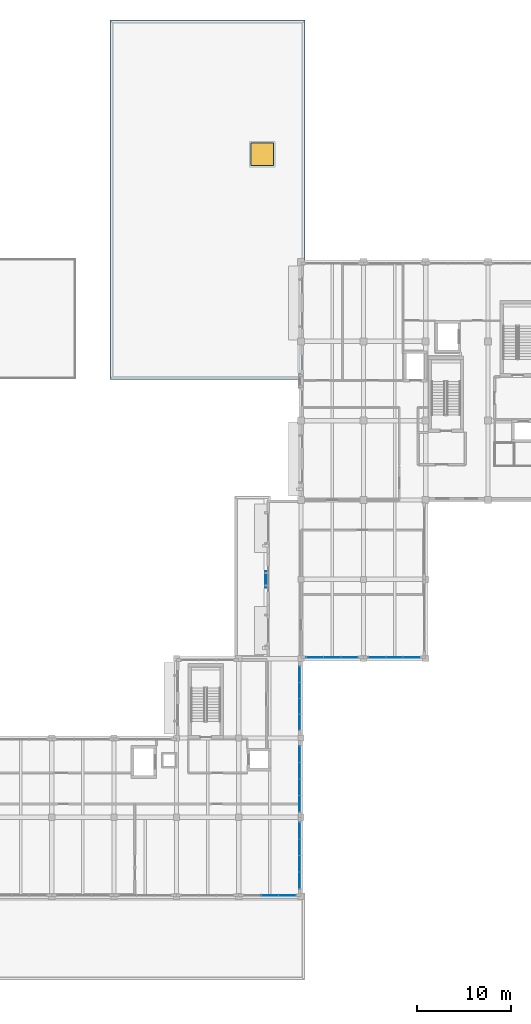
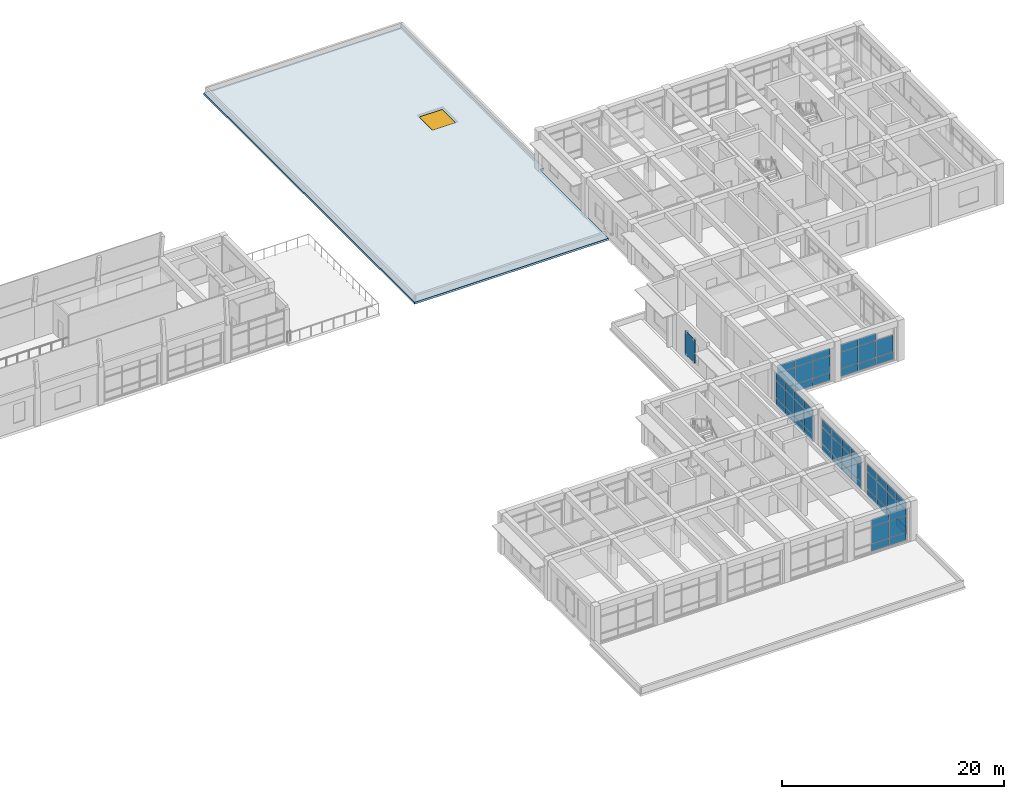
# One storey, part 23 of 50: 60 plates, 1 slab, 1 window, 1 opening, 6 elements without a shape of their own.
"""IFC4 building model written with IfcOpenShell, lengths in metres."""

from ifc_helpers import new_model, si_unit, direction, frame, origin, origin_2d, place, context, subcontext, project, spatial, polyline, rectangle, outline, extrude, material, layer, layer_set, type_object, element, fill, aggregate, save


model = new_model("IFC4")

# Units and contexts
model_context = context("Model", 3, precision=1e-05, world=origin(), true_north=direction((0.0, 1.0)))
body_context = subcontext(model_context, "Body", "Model", "MODEL_VIEW")
ifc_project = project(units=[si_unit("LENGTHUNIT", "METRE"), si_unit("AREAUNIT", "SQUARE_METRE"), si_unit("VOLUMEUNIT", "CUBIC_METRE"), si_unit("PLANEANGLEUNIT", "RADIAN"), si_unit("MASSUNIT", "GRAM", prefix="KILO")], contexts=[model_context])

# Site, building, storey
site_placement = place(None, origin())
site = spatial("IfcSite", under=ifc_project, at=site_placement, CompositionType="ELEMENT")
building_placement = place(site_placement, origin())
building = spatial("IfcBuilding", under=site, at=building_placement, Name="Kolvaren Faculty of Natural Sciences", CompositionType="ELEMENT")
storey_placement = place(building_placement, frame((0.0, 0.0, 15.0)))
storey = spatial("IfcBuildingStorey", under=building, at=storey_placement, Name="L03", CompositionType="ELEMENT", Elevation=15.0)

# Curtain wall, plates
ifc_material_1 = material(Name="Thermally broken anodised aluminium framing", Category="aluminium")
ifc_layer_1 = layer(ifc_material_1, 0.179931640625)
ifc_layer_set_1 = layer_set([ifc_layer_1], Name="Thermally broken anodised aluminium framing")
curtain_wall_type_1 = type_object("IfcCurtainWallType", Name="CommonsCurtainWall_CW02", PredefinedType="NOTDEFINED", material=ifc_layer_set_1)
curtain_wall_1_placement = place(storey_placement, origin())
curtain_wall_1 = element("IfcCurtainWall", 1, at=curtain_wall_1_placement, inside=storey, type_object=curtain_wall_type_1, Name="L03 unitised curtain wall CW-02 (CW-L03-151)", PredefinedType="NOTDEFINED")
ifc_material_2 = material(Name="Double low-E solar control insulated glazing", Category="glass")
ifc_layer_2 = layer(ifc_material_2, 0.035888671875)
ifc_layer_set_2 = layer_set([ifc_layer_2], Name="Double low-E solar control insulated glazing")
plate_type_1 = type_object("IfcPlateType", Name="EnvelopePlate_CWPGL1", PredefinedType="CURTAIN_PANEL", material=ifc_layer_set_2)
plate_1_placement = place(storey_placement, frame((150.533203125, 42.340087890625, 0.919921875), z_axis=(0.0, 0.0, 1.0), x_axis=(-1.0, 0.0, 0.0)))
plate_1 = element("IfcPlate", 2, at=plate_1_placement, type_object=plate_type_1, Name="CW-L03-151 panel 1 V1", PredefinedType="CURTAIN_PANEL", context=body_context, shape_type="SweptSolid", body=[
    extrude(rectangle(XDim=1.783203125, YDim=0.035888671875, at=origin_2d()), origin(), (0.0, 0.0, 1.0), 1.844970703125),
])
plate_2_placement = place(storey_placement, frame((148.699951171875, 42.340087890625, 0.919921875), z_axis=(0.0, 0.0, 1.0), x_axis=(-1.0, 0.0, 0.0)))
plate_2 = element("IfcPlate", 3, at=plate_2_placement, type_object=plate_type_1, Name="CW-L03-151 panel 2 V1", PredefinedType="CURTAIN_PANEL", context=body_context, shape_type="SweptSolid", body=[
    extrude(rectangle(XDim=1.783203125, YDim=0.035888671875, at=origin_2d()), origin(), (0.0, 0.0, 1.0), 1.844970703125),
])
plate_3_placement = place(storey_placement, frame((146.86669921875, 42.340087890625, 0.919921875), z_axis=(0.0, 0.0, 1.0), x_axis=(-1.0, 0.0, 0.0)))
plate_3 = element("IfcPlate", 4, at=plate_3_placement, type_object=plate_type_1, Name="CW-L03-151 panel 3 V1", PredefinedType="CURTAIN_PANEL", context=body_context, shape_type="SweptSolid", body=[
    extrude(rectangle(XDim=1.783203125, YDim=0.035888671875, at=origin_2d()), origin(), (0.0, 0.0, 1.0), 1.844970703125),
])

curtain_wall_2_placement = place(storey_placement, origin())
curtain_wall_2 = element("IfcCurtainWall", 5, at=curtain_wall_2_placement, inside=storey, type_object=curtain_wall_type_1, Name="L03 unitised curtain wall CW-02 (CW-L03-152)", PredefinedType="NOTDEFINED")
plate_4_placement = place(storey_placement, frame((143.933349609375, 42.340087890625, 0.919921875), z_axis=(0.0, 0.0, 1.0), x_axis=(-1.0, 0.0, 0.0)))
plate_4 = element("IfcPlate", 6, at=plate_4_placement, type_object=plate_type_1, Name="CW-L03-152 panel 1 V1", PredefinedType="CURTAIN_PANEL", context=body_context, shape_type="SweptSolid", body=[
    extrude(rectangle(XDim=1.783203125, YDim=0.035888671875, at=origin_2d()), origin(), (0.0, 0.0, 1.0), 1.844970703125),
])
plate_5_placement = place(storey_placement, frame((142.10009765625, 42.340087890625, 0.919921875), z_axis=(0.0, 0.0, 1.0), x_axis=(-1.0, 0.0, 0.0)))
plate_5 = element("IfcPlate", 7, at=plate_5_placement, type_object=plate_type_1, Name="CW-L03-152 panel 2 V1", PredefinedType="CURTAIN_PANEL", context=body_context, shape_type="SweptSolid", body=[
    extrude(rectangle(XDim=1.783203125, YDim=0.035888671875, at=origin_2d()), origin(), (0.0, 0.0, 1.0), 1.844970703125),
])
plate_6_placement = place(storey_placement, frame((140.2666015625, 42.340087890625, 0.919921875), z_axis=(0.0, 0.0, 1.0), x_axis=(-1.0, 0.0, 0.0)))
plate_6 = element("IfcPlate", 8, at=plate_6_placement, type_object=plate_type_1, Name="CW-L03-152 panel 3 V1", PredefinedType="CURTAIN_PANEL", context=body_context, shape_type="SweptSolid", body=[
    extrude(rectangle(XDim=1.783203125, YDim=0.035888671875, at=origin_2d()), origin(), (0.0, 0.0, 1.0), 1.844970703125),
])

ifc_layer_3 = layer(ifc_material_1, 0.179931640625)
ifc_layer_set_3 = layer_set([ifc_layer_3], Name="Thermally broken anodised aluminium framing")
curtain_wall_type_2 = type_object("IfcCurtainWallType", Name="TowerNorthCurtainWall_CW03", PredefinedType="NOTDEFINED", material=ifc_layer_set_3)
curtain_wall_3_placement = place(storey_placement, origin())
curtain_wall_3 = element("IfcCurtainWall", 9, at=curtain_wall_3_placement, inside=storey, type_object=curtain_wall_type_2, Name="L03 unitised curtain wall CW-03 (CW-L03-153)", PredefinedType="NOTDEFINED")
plate_7_placement = place(storey_placement, frame((138.659912109375, 40.527587890625, 0.919921875), z_axis=(0.0, 0.0, 1.0), x_axis=(0.0, -1.0, 0.0)))
plate_7 = element("IfcPlate", 10, at=plate_7_placement, type_object=plate_type_1, Name="CW-L03-153 panel 1 V1", PredefinedType="CURTAIN_PANEL", context=body_context, shape_type="SweptSolid", body=[
    extrude(rectangle(XDim=1.635009765625, YDim=0.035888671875, at=origin_2d()), origin(), (0.0, 0.0, 1.0), 1.89501953125),
])
plate_8_placement = place(storey_placement, frame((138.659912109375, 38.842529296875, 0.919921875), z_axis=(0.0, 0.0, 1.0), x_axis=(0.0, -1.0, 0.0)))
plate_8 = element("IfcPlate", 11, at=plate_8_placement, type_object=plate_type_1, Name="CW-L03-153 panel 2 V1", PredefinedType="CURTAIN_PANEL", context=body_context, shape_type="SweptSolid", body=[
    extrude(rectangle(XDim=1.635009765625, YDim=0.035888671875, at=origin_2d()), origin(), (0.0, 0.0, 1.0), 1.89501953125),
])
plate_9_placement = place(storey_placement, frame((138.659912109375, 37.157470703125, 0.919921875), z_axis=(0.0, 0.0, 1.0), x_axis=(0.0, -1.0, 0.0)))
plate_9 = element("IfcPlate", 12, at=plate_9_placement, type_object=plate_type_1, Name="CW-L03-153 panel 3 V1", PredefinedType="CURTAIN_PANEL", context=body_context, shape_type="SweptSolid", body=[
    extrude(rectangle(XDim=1.635009765625, YDim=0.035888671875, at=origin_2d()), origin(), (0.0, 0.0, 1.0), 1.89501953125),
])
plate_10_placement = place(storey_placement, frame((138.659912109375, 35.472412109375, 0.919921875), z_axis=(0.0, 0.0, 1.0), x_axis=(0.0, -1.0, 0.0)))
plate_10 = element("IfcPlate", 13, at=plate_10_placement, type_object=plate_type_1, Name="CW-L03-153 panel 4 V1", PredefinedType="CURTAIN_PANEL", context=body_context, shape_type="SweptSolid", body=[
    extrude(rectangle(XDim=1.635009765625, YDim=0.035888671875, at=origin_2d()), origin(), (0.0, 0.0, 1.0), 1.89501953125),
])

curtain_wall_4_placement = place(storey_placement, origin())
curtain_wall_4 = element("IfcCurtainWall", 14, at=curtain_wall_4_placement, inside=storey, type_object=curtain_wall_type_2, Name="L03 unitised curtain wall CW-03 (CW-L03-154)", PredefinedType="NOTDEFINED")
plate_11_placement = place(storey_placement, frame((138.659912109375, 32.092529296875, 0.919921875), z_axis=(0.0, 0.0, 1.0), x_axis=(0.0, -1.0, 0.0)))
plate_11 = element("IfcPlate", 15, at=plate_11_placement, type_object=plate_type_1, Name="CW-L03-154 panel 1 V1", PredefinedType="CURTAIN_PANEL", context=body_context, shape_type="SweptSolid", body=[
    extrude(rectangle(XDim=1.705078125, YDim=0.035888671875, at=origin_2d()), origin(), (0.0, 0.0, 1.0), 1.844970703125),
])
plate_12_placement = place(storey_placement, frame((138.659912109375, 30.33740234375, 0.919921875), z_axis=(0.0, 0.0, 1.0), x_axis=(0.0, -1.0, 0.0)))
plate_12 = element("IfcPlate", 16, at=plate_12_placement, type_object=plate_type_1, Name="CW-L03-154 panel 2 V1", PredefinedType="CURTAIN_PANEL", context=body_context, shape_type="SweptSolid", body=[
    extrude(rectangle(XDim=1.705078125, YDim=0.035888671875, at=origin_2d()), origin(), (0.0, 0.0, 1.0), 1.844970703125),
])
plate_13_placement = place(storey_placement, frame((138.659912109375, 28.58251953125, 0.919921875), z_axis=(0.0, 0.0, 1.0), x_axis=(0.0, -1.0, 0.0)))
plate_13 = element("IfcPlate", 17, at=plate_13_placement, type_object=plate_type_1, Name="CW-L03-154 panel 3 V1", PredefinedType="CURTAIN_PANEL", context=body_context, shape_type="SweptSolid", body=[
    extrude(rectangle(XDim=1.705078125, YDim=0.035888671875, at=origin_2d()), origin(), (0.0, 0.0, 1.0), 1.844970703125),
])
plate_14_placement = place(storey_placement, frame((138.659912109375, 26.827392578125, 0.919921875), z_axis=(0.0, 0.0, 1.0), x_axis=(0.0, -1.0, 0.0)))
plate_14 = element("IfcPlate", 18, at=plate_14_placement, type_object=plate_type_1, Name="CW-L03-154 panel 4 V1", PredefinedType="CURTAIN_PANEL", context=body_context, shape_type="SweptSolid", body=[
    extrude(rectangle(XDim=1.705078125, YDim=0.035888671875, at=origin_2d()), origin(), (0.0, 0.0, 1.0), 1.844970703125),
])

curtain_wall_5_placement = place(storey_placement, origin())
curtain_wall_5 = element("IfcCurtainWall", 19, at=curtain_wall_5_placement, inside=storey, type_object=curtain_wall_type_2, Name="L03 unitised curtain wall CW-03 (CW-L03-155)", PredefinedType="NOTDEFINED")
plate_15_placement = place(storey_placement, frame((138.659912109375, 23.972412109375, 0.919921875), z_axis=(0.0, 0.0, 1.0), x_axis=(0.0, -1.0, 0.0)))
plate_15 = element("IfcPlate", 20, at=plate_15_placement, type_object=plate_type_1, Name="CW-L03-155 panel 1 V1", PredefinedType="CURTAIN_PANEL", context=body_context, shape_type="SweptSolid", body=[
    extrude(rectangle(XDim=1.705078125, YDim=0.035888671875, at=origin_2d()), origin(), (0.0, 0.0, 1.0), 1.844970703125),
])
plate_16_placement = place(storey_placement, frame((138.659912109375, 22.217529296875, 0.919921875), z_axis=(0.0, 0.0, 1.0), x_axis=(0.0, -1.0, 0.0)))
plate_16 = element("IfcPlate", 21, at=plate_16_placement, type_object=plate_type_1, Name="CW-L03-155 panel 2 V1", PredefinedType="CURTAIN_PANEL", context=body_context, shape_type="SweptSolid", body=[
    extrude(rectangle(XDim=1.705078125, YDim=0.035888671875, at=origin_2d()), origin(), (0.0, 0.0, 1.0), 1.844970703125),
])
plate_17_placement = place(storey_placement, frame((138.659912109375, 20.46240234375, 0.919921875), z_axis=(0.0, 0.0, 1.0), x_axis=(0.0, -1.0, 0.0)))
plate_17 = element("IfcPlate", 22, at=plate_17_placement, type_object=plate_type_1, Name="CW-L03-155 panel 3 V1", PredefinedType="CURTAIN_PANEL", context=body_context, shape_type="SweptSolid", body=[
    extrude(rectangle(XDim=1.705078125, YDim=0.035888671875, at=origin_2d()), origin(), (0.0, 0.0, 1.0), 1.844970703125),
])
plate_18_placement = place(storey_placement, frame((138.659912109375, 18.70751953125, 0.919921875), z_axis=(0.0, 0.0, 1.0), x_axis=(0.0, -1.0, 0.0)))
plate_18 = element("IfcPlate", 23, at=plate_18_placement, type_object=plate_type_1, Name="CW-L03-155 panel 4 V1", PredefinedType="CURTAIN_PANEL", context=body_context, shape_type="SweptSolid", body=[
    extrude(rectangle(XDim=1.705078125, YDim=0.035888671875, at=origin_2d()), origin(), (0.0, 0.0, 1.0), 1.844970703125),
])

curtain_wall_6_placement = place(storey_placement, origin())
curtain_wall_6 = element("IfcCurtainWall", 24, at=curtain_wall_6_placement, inside=storey, type_object=curtain_wall_type_1, Name="L03 unitised curtain wall CW-02 (CW-L03-156)", PredefinedType="NOTDEFINED")
plate_19_placement = place(storey_placement, frame((137.333251953125, 17.139892578125, 0.919921875), z_axis=(0.0, 0.0, 1.0), x_axis=(-1.0, 0.0, 0.0)))
plate_19 = element("IfcPlate", 25, at=plate_19_placement, type_object=plate_type_1, Name="CW-L03-156 panel 1 V1", PredefinedType="CURTAIN_PANEL", context=body_context, shape_type="SweptSolid", body=[
    extrude(rectangle(XDim=1.783203125, YDim=0.035888671875, at=origin_2d()), origin(), (0.0, 0.0, 1.0), 1.844970703125),
])
plate_20_placement = place(storey_placement, frame((135.5, 17.139892578125, 0.919921875), z_axis=(0.0, 0.0, 1.0), x_axis=(-1.0, 0.0, 0.0)))
plate_20 = element("IfcPlate", 26, at=plate_20_placement, type_object=plate_type_1, Name="CW-L03-156 panel 2 V1", PredefinedType="CURTAIN_PANEL", context=body_context, shape_type="SweptSolid", body=[
    extrude(rectangle(XDim=1.783203125, YDim=0.035888671875, at=origin_2d()), origin(), (0.0, 0.0, 1.0), 1.844970703125),
])

# Plate
ifc_layer_4 = layer(ifc_material_2, 0.035888671875)
ifc_layer_set_4 = layer_set([ifc_layer_4], Name="Double low-E solar control insulated glazing")
plate_type_2 = type_object("IfcPlateType", Name="EnvelopePlate_CWPGL2", PredefinedType="CURTAIN_PANEL", material=ifc_layer_set_4)
plate_21_placement = place(storey_placement, frame((148.699951171875, 42.340087890625, 2.804931640625), z_axis=(0.0, 0.0, 1.0), x_axis=(-1.0, 0.0, 0.0)))
plate_21 = element("IfcPlate", 27, at=plate_21_placement, type_object=plate_type_2, Name="CW-L03-151 panel 2 V2", PredefinedType="CURTAIN_PANEL", context=body_context, shape_type="SweptSolid", body=[
    extrude(rectangle(XDim=1.783203125, YDim=0.035888671875, at=origin_2d()), origin(), (0.0, 0.0, 1.0), 0.830078125),
])

plate_22_placement = place(storey_placement, frame((146.86669921875, 42.340087890625, 2.804931640625), z_axis=(0.0, 0.0, 1.0), x_axis=(-1.0, 0.0, 0.0)))
plate_22 = element("IfcPlate", 28, at=plate_22_placement, type_object=plate_type_2, Name="CW-L03-151 panel 3 V2", PredefinedType="CURTAIN_PANEL", context=body_context, shape_type="SweptSolid", body=[
    extrude(rectangle(XDim=1.783203125, YDim=0.035888671875, at=origin_2d()), origin(), (0.0, 0.0, 1.0), 0.830078125),
])

plate_23_placement = place(storey_placement, frame((143.933349609375, 42.340087890625, 2.804931640625), z_axis=(0.0, 0.0, 1.0), x_axis=(-1.0, 0.0, 0.0)))
plate_23 = element("IfcPlate", 29, at=plate_23_placement, type_object=plate_type_2, Name="CW-L03-152 panel 1 V2", PredefinedType="CURTAIN_PANEL", context=body_context, shape_type="SweptSolid", body=[
    extrude(rectangle(XDim=1.783203125, YDim=0.035888671875, at=origin_2d()), origin(), (0.0, 0.0, 1.0), 0.830078125),
])

plate_24_placement = place(storey_placement, frame((142.10009765625, 42.340087890625, 2.804931640625), z_axis=(0.0, 0.0, 1.0), x_axis=(-1.0, 0.0, 0.0)))
plate_24 = element("IfcPlate", 30, at=plate_24_placement, type_object=plate_type_2, Name="CW-L03-152 panel 2 V2", PredefinedType="CURTAIN_PANEL", context=body_context, shape_type="SweptSolid", body=[
    extrude(rectangle(XDim=1.783203125, YDim=0.035888671875, at=origin_2d()), origin(), (0.0, 0.0, 1.0), 0.830078125),
])

plate_25_placement = place(storey_placement, frame((140.2666015625, 42.340087890625, 2.804931640625), z_axis=(0.0, 0.0, 1.0), x_axis=(-1.0, 0.0, 0.0)))
plate_25 = element("IfcPlate", 31, at=plate_25_placement, type_object=plate_type_2, Name="CW-L03-152 panel 3 V2", PredefinedType="CURTAIN_PANEL", context=body_context, shape_type="SweptSolid", body=[
    extrude(rectangle(XDim=1.783203125, YDim=0.035888671875, at=origin_2d()), origin(), (0.0, 0.0, 1.0), 0.830078125),
])

plate_26_placement = place(storey_placement, frame((138.659912109375, 40.527587890625, 2.85498046875), z_axis=(0.0, 0.0, 1.0), x_axis=(0.0, -1.0, 0.0)))
plate_26 = element("IfcPlate", 32, at=plate_26_placement, type_object=plate_type_2, Name="CW-L03-153 panel 1 V2", PredefinedType="CURTAIN_PANEL", context=body_context, shape_type="SweptSolid", body=[
    extrude(rectangle(XDim=1.635009765625, YDim=0.035888671875, at=origin_2d()), origin(), (0.0, 0.0, 1.0), 0.830078125),
])

plate_27_placement = place(storey_placement, frame((138.659912109375, 38.842529296875, 2.85498046875), z_axis=(0.0, 0.0, 1.0), x_axis=(0.0, -1.0, 0.0)))
plate_27 = element("IfcPlate", 33, at=plate_27_placement, type_object=plate_type_2, Name="CW-L03-153 panel 2 V2", PredefinedType="CURTAIN_PANEL", context=body_context, shape_type="SweptSolid", body=[
    extrude(rectangle(XDim=1.635009765625, YDim=0.035888671875, at=origin_2d()), origin(), (0.0, 0.0, 1.0), 0.830078125),
])

plate_28_placement = place(storey_placement, frame((138.659912109375, 37.157470703125, 2.85498046875), z_axis=(0.0, 0.0, 1.0), x_axis=(0.0, -1.0, 0.0)))
plate_28 = element("IfcPlate", 34, at=plate_28_placement, type_object=plate_type_2, Name="CW-L03-153 panel 3 V2", PredefinedType="CURTAIN_PANEL", context=body_context, shape_type="SweptSolid", body=[
    extrude(rectangle(XDim=1.635009765625, YDim=0.035888671875, at=origin_2d()), origin(), (0.0, 0.0, 1.0), 0.830078125),
])

plate_29_placement = place(storey_placement, frame((138.659912109375, 35.472412109375, 2.85498046875), z_axis=(0.0, 0.0, 1.0), x_axis=(0.0, -1.0, 0.0)))
plate_29 = element("IfcPlate", 35, at=plate_29_placement, type_object=plate_type_2, Name="CW-L03-153 panel 4 V2", PredefinedType="CURTAIN_PANEL", context=body_context, shape_type="SweptSolid", body=[
    extrude(rectangle(XDim=1.635009765625, YDim=0.035888671875, at=origin_2d()), origin(), (0.0, 0.0, 1.0), 0.830078125),
])

plate_30_placement = place(storey_placement, frame((138.659912109375, 32.092529296875, 2.804931640625), z_axis=(0.0, 0.0, 1.0), x_axis=(0.0, -1.0, 0.0)))
plate_30 = element("IfcPlate", 36, at=plate_30_placement, type_object=plate_type_2, Name="CW-L03-154 panel 1 V2", PredefinedType="CURTAIN_PANEL", context=body_context, shape_type="SweptSolid", body=[
    extrude(rectangle(XDim=1.705078125, YDim=0.035888671875, at=origin_2d()), origin(), (0.0, 0.0, 1.0), 0.830078125),
])

plate_31_placement = place(storey_placement, frame((138.659912109375, 30.33740234375, 2.804931640625), z_axis=(0.0, 0.0, 1.0), x_axis=(0.0, -1.0, 0.0)))
plate_31 = element("IfcPlate", 37, at=plate_31_placement, type_object=plate_type_2, Name="CW-L03-154 panel 2 V2", PredefinedType="CURTAIN_PANEL", context=body_context, shape_type="SweptSolid", body=[
    extrude(rectangle(XDim=1.705078125, YDim=0.035888671875, at=origin_2d()), origin(), (0.0, 0.0, 1.0), 0.830078125),
])

plate_32_placement = place(storey_placement, frame((138.659912109375, 28.58251953125, 2.804931640625), z_axis=(0.0, 0.0, 1.0), x_axis=(0.0, -1.0, 0.0)))
plate_32 = element("IfcPlate", 38, at=plate_32_placement, type_object=plate_type_2, Name="CW-L03-154 panel 3 V2", PredefinedType="CURTAIN_PANEL", context=body_context, shape_type="SweptSolid", body=[
    extrude(rectangle(XDim=1.705078125, YDim=0.035888671875, at=origin_2d()), origin(), (0.0, 0.0, 1.0), 0.830078125),
])

plate_33_placement = place(storey_placement, frame((138.659912109375, 26.827392578125, 2.804931640625), z_axis=(0.0, 0.0, 1.0), x_axis=(0.0, -1.0, 0.0)))
plate_33 = element("IfcPlate", 39, at=plate_33_placement, type_object=plate_type_2, Name="CW-L03-154 panel 4 V2", PredefinedType="CURTAIN_PANEL", context=body_context, shape_type="SweptSolid", body=[
    extrude(rectangle(XDim=1.705078125, YDim=0.035888671875, at=origin_2d()), origin(), (0.0, 0.0, 1.0), 0.830078125),
])

plate_34_placement = place(storey_placement, frame((138.659912109375, 23.972412109375, 2.804931640625), z_axis=(0.0, 0.0, 1.0), x_axis=(0.0, -1.0, 0.0)))
plate_34 = element("IfcPlate", 40, at=plate_34_placement, type_object=plate_type_2, Name="CW-L03-155 panel 1 V2", PredefinedType="CURTAIN_PANEL", context=body_context, shape_type="SweptSolid", body=[
    extrude(rectangle(XDim=1.705078125, YDim=0.035888671875, at=origin_2d()), origin(), (0.0, 0.0, 1.0), 0.830078125),
])

plate_35_placement = place(storey_placement, frame((138.659912109375, 22.217529296875, 2.804931640625), z_axis=(0.0, 0.0, 1.0), x_axis=(0.0, -1.0, 0.0)))
plate_35 = element("IfcPlate", 41, at=plate_35_placement, type_object=plate_type_2, Name="CW-L03-155 panel 2 V2", PredefinedType="CURTAIN_PANEL", context=body_context, shape_type="SweptSolid", body=[
    extrude(rectangle(XDim=1.705078125, YDim=0.035888671875, at=origin_2d()), origin(), (0.0, 0.0, 1.0), 0.830078125),
])

plate_36_placement = place(storey_placement, frame((138.659912109375, 20.46240234375, 2.804931640625), z_axis=(0.0, 0.0, 1.0), x_axis=(0.0, -1.0, 0.0)))
plate_36 = element("IfcPlate", 42, at=plate_36_placement, type_object=plate_type_2, Name="CW-L03-155 panel 3 V2", PredefinedType="CURTAIN_PANEL", context=body_context, shape_type="SweptSolid", body=[
    extrude(rectangle(XDim=1.705078125, YDim=0.035888671875, at=origin_2d()), origin(), (0.0, 0.0, 1.0), 0.830078125),
])

plate_37_placement = place(storey_placement, frame((138.659912109375, 18.70751953125, 2.804931640625), z_axis=(0.0, 0.0, 1.0), x_axis=(0.0, -1.0, 0.0)))
plate_37 = element("IfcPlate", 43, at=plate_37_placement, type_object=plate_type_2, Name="CW-L03-155 panel 4 V2", PredefinedType="CURTAIN_PANEL", context=body_context, shape_type="SweptSolid", body=[
    extrude(rectangle(XDim=1.705078125, YDim=0.035888671875, at=origin_2d()), origin(), (0.0, 0.0, 1.0), 0.830078125),
])

plate_38_placement = place(storey_placement, frame((137.333251953125, 17.139892578125, 2.804931640625), z_axis=(0.0, 0.0, 1.0), x_axis=(-1.0, 0.0, 0.0)))
plate_38 = element("IfcPlate", 44, at=plate_38_placement, type_object=plate_type_2, Name="CW-L03-156 panel 1 V2", PredefinedType="CURTAIN_PANEL", context=body_context, shape_type="SweptSolid", body=[
    extrude(rectangle(XDim=1.783203125, YDim=0.035888671875, at=origin_2d()), origin(), (0.0, 0.0, 1.0), 0.830078125),
])

plate_39_placement = place(storey_placement, frame((135.5, 17.139892578125, 2.804931640625), z_axis=(0.0, 0.0, 1.0), x_axis=(-1.0, 0.0, 0.0)))
plate_39 = element("IfcPlate", 45, at=plate_39_placement, type_object=plate_type_2, Name="CW-L03-156 panel 2 V2", PredefinedType="CURTAIN_PANEL", context=body_context, shape_type="SweptSolid", body=[
    extrude(rectangle(XDim=1.783203125, YDim=0.035888671875, at=origin_2d()), origin(), (0.0, 0.0, 1.0), 0.830078125),
])

ifc_material_3 = material(Name="Insulated anodised aluminium spandrel panel", Category="aluminium")
ifc_layer_5 = layer(ifc_material_3, 0.050048828125)
ifc_layer_set_5 = layer_set([ifc_layer_5], Name="Insulated anodised aluminium spandrel panel")
plate_type_3 = type_object("IfcPlateType", Name="EnvelopePlate_CWPSP1", PredefinedType="SHEET", material=ifc_layer_set_5)
plate_40_placement = place(storey_placement, frame((150.533203125, 42.340087890625, 0.10009765625), z_axis=(0.0, 0.0, 1.0), x_axis=(-1.0, 0.0, 0.0)))
plate_40 = element("IfcPlate", 46, at=plate_40_placement, type_object=plate_type_3, Name="CW-L03-151 panel 1 SP", PredefinedType="SHEET", context=body_context, shape_type="SweptSolid", body=[
    extrude(rectangle(XDim=1.783203125, YDim=0.050048828125, at=origin_2d()), origin(), (0.0, 0.0, 1.0), 0.780029296875),
])

plate_41_placement = place(storey_placement, frame((148.699951171875, 42.340087890625, 0.10009765625), z_axis=(0.0, 0.0, 1.0), x_axis=(-1.0, 0.0, 0.0)))
plate_41 = element("IfcPlate", 47, at=plate_41_placement, type_object=plate_type_3, Name="CW-L03-151 panel 2 SP", PredefinedType="SHEET", context=body_context, shape_type="SweptSolid", body=[
    extrude(rectangle(XDim=1.783203125, YDim=0.050048828125, at=origin_2d()), origin(), (0.0, 0.0, 1.0), 0.780029296875),
])

plate_42_placement = place(storey_placement, frame((146.86669921875, 42.340087890625, 0.10009765625), z_axis=(0.0, 0.0, 1.0), x_axis=(-1.0, 0.0, 0.0)))
plate_42 = element("IfcPlate", 48, at=plate_42_placement, type_object=plate_type_3, Name="CW-L03-151 panel 3 SP", PredefinedType="SHEET", context=body_context, shape_type="SweptSolid", body=[
    extrude(rectangle(XDim=1.783203125, YDim=0.050048828125, at=origin_2d()), origin(), (0.0, 0.0, 1.0), 0.780029296875),
])

aggregate(curtain_wall_1, [plate_40, plate_1, plate_41, plate_2, plate_21, plate_42, plate_3, plate_22])

plate_43_placement = place(storey_placement, frame((143.933349609375, 42.340087890625, 0.10009765625), z_axis=(0.0, 0.0, 1.0), x_axis=(-1.0, 0.0, 0.0)))
plate_43 = element("IfcPlate", 49, at=plate_43_placement, type_object=plate_type_3, Name="CW-L03-152 panel 1 SP", PredefinedType="SHEET", context=body_context, shape_type="SweptSolid", body=[
    extrude(rectangle(XDim=1.783203125, YDim=0.050048828125, at=origin_2d()), origin(), (0.0, 0.0, 1.0), 0.780029296875),
])

plate_44_placement = place(storey_placement, frame((142.10009765625, 42.340087890625, 0.10009765625), z_axis=(0.0, 0.0, 1.0), x_axis=(-1.0, 0.0, 0.0)))
plate_44 = element("IfcPlate", 50, at=plate_44_placement, type_object=plate_type_3, Name="CW-L03-152 panel 2 SP", PredefinedType="SHEET", context=body_context, shape_type="SweptSolid", body=[
    extrude(rectangle(XDim=1.783203125, YDim=0.050048828125, at=origin_2d()), origin(), (0.0, 0.0, 1.0), 0.780029296875),
])

plate_45_placement = place(storey_placement, frame((140.2666015625, 42.340087890625, 0.10009765625), z_axis=(0.0, 0.0, 1.0), x_axis=(-1.0, 0.0, 0.0)))
plate_45 = element("IfcPlate", 51, at=plate_45_placement, type_object=plate_type_3, Name="CW-L03-152 panel 3 SP", PredefinedType="SHEET", context=body_context, shape_type="SweptSolid", body=[
    extrude(rectangle(XDim=1.783203125, YDim=0.050048828125, at=origin_2d()), origin(), (0.0, 0.0, 1.0), 0.780029296875),
])

aggregate(curtain_wall_2, [plate_43, plate_4, plate_23, plate_44, plate_5, plate_24, plate_45, plate_6, plate_25])

plate_46_placement = place(storey_placement, frame((138.659912109375, 40.527587890625, 0.10009765625), z_axis=(0.0, 0.0, 1.0), x_axis=(0.0, -1.0, 0.0)))
plate_46 = element("IfcPlate", 52, at=plate_46_placement, type_object=plate_type_3, Name="CW-L03-153 panel 1 SP", PredefinedType="SHEET", context=body_context, shape_type="SweptSolid", body=[
    extrude(rectangle(XDim=1.635009765625, YDim=0.050048828125, at=origin_2d()), origin(), (0.0, 0.0, 1.0), 0.780029296875),
])

plate_47_placement = place(storey_placement, frame((138.659912109375, 38.842529296875, 0.10009765625), z_axis=(0.0, 0.0, 1.0), x_axis=(0.0, -1.0, 0.0)))
plate_47 = element("IfcPlate", 53, at=plate_47_placement, type_object=plate_type_3, Name="CW-L03-153 panel 2 SP", PredefinedType="SHEET", context=body_context, shape_type="SweptSolid", body=[
    extrude(rectangle(XDim=1.635009765625, YDim=0.050048828125, at=origin_2d()), origin(), (0.0, 0.0, 1.0), 0.780029296875),
])

plate_48_placement = place(storey_placement, frame((138.659912109375, 37.157470703125, 0.10009765625), z_axis=(0.0, 0.0, 1.0), x_axis=(0.0, -1.0, 0.0)))
plate_48 = element("IfcPlate", 54, at=plate_48_placement, type_object=plate_type_3, Name="CW-L03-153 panel 3 SP", PredefinedType="SHEET", context=body_context, shape_type="SweptSolid", body=[
    extrude(rectangle(XDim=1.635009765625, YDim=0.050048828125, at=origin_2d()), origin(), (0.0, 0.0, 1.0), 0.780029296875),
])

plate_49_placement = place(storey_placement, frame((138.659912109375, 35.472412109375, 0.10009765625), z_axis=(0.0, 0.0, 1.0), x_axis=(0.0, -1.0, 0.0)))
plate_49 = element("IfcPlate", 55, at=plate_49_placement, type_object=plate_type_3, Name="CW-L03-153 panel 4 SP", PredefinedType="SHEET", context=body_context, shape_type="SweptSolid", body=[
    extrude(rectangle(XDim=1.635009765625, YDim=0.050048828125, at=origin_2d()), origin(), (0.0, 0.0, 1.0), 0.780029296875),
])

aggregate(curtain_wall_3, [plate_46, plate_7, plate_26, plate_47, plate_8, plate_27, plate_48, plate_9, plate_28, plate_49, plate_10, plate_29])

plate_50_placement = place(storey_placement, frame((138.659912109375, 32.092529296875, 0.10009765625), z_axis=(0.0, 0.0, 1.0), x_axis=(0.0, -1.0, 0.0)))
plate_50 = element("IfcPlate", 56, at=plate_50_placement, type_object=plate_type_3, Name="CW-L03-154 panel 1 SP", PredefinedType="SHEET", context=body_context, shape_type="SweptSolid", body=[
    extrude(rectangle(XDim=1.705078125, YDim=0.050048828125, at=origin_2d()), origin(), (0.0, 0.0, 1.0), 0.780029296875),
])

plate_51_placement = place(storey_placement, frame((138.659912109375, 30.33740234375, 0.10009765625), z_axis=(0.0, 0.0, 1.0), x_axis=(0.0, -1.0, 0.0)))
plate_51 = element("IfcPlate", 57, at=plate_51_placement, type_object=plate_type_3, Name="CW-L03-154 panel 2 SP", PredefinedType="SHEET", context=body_context, shape_type="SweptSolid", body=[
    extrude(rectangle(XDim=1.705078125, YDim=0.050048828125, at=origin_2d()), origin(), (0.0, 0.0, 1.0), 0.780029296875),
])

plate_52_placement = place(storey_placement, frame((138.659912109375, 28.58251953125, 0.10009765625), z_axis=(0.0, 0.0, 1.0), x_axis=(0.0, -1.0, 0.0)))
plate_52 = element("IfcPlate", 58, at=plate_52_placement, type_object=plate_type_3, Name="CW-L03-154 panel 3 SP", PredefinedType="SHEET", context=body_context, shape_type="SweptSolid", body=[
    extrude(rectangle(XDim=1.705078125, YDim=0.050048828125, at=origin_2d()), origin(), (0.0, 0.0, 1.0), 0.780029296875),
])

plate_53_placement = place(storey_placement, frame((138.659912109375, 26.827392578125, 0.10009765625), z_axis=(0.0, 0.0, 1.0), x_axis=(0.0, -1.0, 0.0)))
plate_53 = element("IfcPlate", 59, at=plate_53_placement, type_object=plate_type_3, Name="CW-L03-154 panel 4 SP", PredefinedType="SHEET", context=body_context, shape_type="SweptSolid", body=[
    extrude(rectangle(XDim=1.705078125, YDim=0.050048828125, at=origin_2d()), origin(), (0.0, 0.0, 1.0), 0.780029296875),
])

aggregate(curtain_wall_4, [plate_50, plate_11, plate_30, plate_51, plate_12, plate_31, plate_52, plate_13, plate_32, plate_53, plate_14, plate_33])

plate_54_placement = place(storey_placement, frame((138.659912109375, 23.972412109375, 0.10009765625), z_axis=(0.0, 0.0, 1.0), x_axis=(0.0, -1.0, 0.0)))
plate_54 = element("IfcPlate", 60, at=plate_54_placement, type_object=plate_type_3, Name="CW-L03-155 panel 1 SP", PredefinedType="SHEET", context=body_context, shape_type="SweptSolid", body=[
    extrude(rectangle(XDim=1.705078125, YDim=0.050048828125, at=origin_2d()), origin(), (0.0, 0.0, 1.0), 0.780029296875),
])

plate_55_placement = place(storey_placement, frame((138.659912109375, 22.217529296875, 0.10009765625), z_axis=(0.0, 0.0, 1.0), x_axis=(0.0, -1.0, 0.0)))
plate_55 = element("IfcPlate", 61, at=plate_55_placement, type_object=plate_type_3, Name="CW-L03-155 panel 2 SP", PredefinedType="SHEET", context=body_context, shape_type="SweptSolid", body=[
    extrude(rectangle(XDim=1.705078125, YDim=0.050048828125, at=origin_2d()), origin(), (0.0, 0.0, 1.0), 0.780029296875),
])

plate_56_placement = place(storey_placement, frame((138.659912109375, 20.46240234375, 0.10009765625), z_axis=(0.0, 0.0, 1.0), x_axis=(0.0, -1.0, 0.0)))
plate_56 = element("IfcPlate", 62, at=plate_56_placement, type_object=plate_type_3, Name="CW-L03-155 panel 3 SP", PredefinedType="SHEET", context=body_context, shape_type="SweptSolid", body=[
    extrude(rectangle(XDim=1.705078125, YDim=0.050048828125, at=origin_2d()), origin(), (0.0, 0.0, 1.0), 0.780029296875),
])

plate_57_placement = place(storey_placement, frame((138.659912109375, 18.70751953125, 0.10009765625), z_axis=(0.0, 0.0, 1.0), x_axis=(0.0, -1.0, 0.0)))
plate_57 = element("IfcPlate", 63, at=plate_57_placement, type_object=plate_type_3, Name="CW-L03-155 panel 4 SP", PredefinedType="SHEET", context=body_context, shape_type="SweptSolid", body=[
    extrude(rectangle(XDim=1.705078125, YDim=0.050048828125, at=origin_2d()), origin(), (0.0, 0.0, 1.0), 0.780029296875),
])

aggregate(curtain_wall_5, [plate_54, plate_15, plate_34, plate_55, plate_16, plate_35, plate_56, plate_17, plate_36, plate_57, plate_18, plate_37])

plate_58_placement = place(storey_placement, frame((137.333251953125, 17.139892578125, 0.10009765625), z_axis=(0.0, 0.0, 1.0), x_axis=(-1.0, 0.0, 0.0)))
plate_58 = element("IfcPlate", 64, at=plate_58_placement, type_object=plate_type_3, Name="CW-L03-156 panel 1 SP", PredefinedType="SHEET", context=body_context, shape_type="SweptSolid", body=[
    extrude(rectangle(XDim=1.783203125, YDim=0.050048828125, at=origin_2d()), origin(), (0.0, 0.0, 1.0), 0.780029296875),
])

plate_59_placement = place(storey_placement, frame((135.5, 17.139892578125, 0.10009765625), z_axis=(0.0, 0.0, 1.0), x_axis=(-1.0, 0.0, 0.0)))
plate_59 = element("IfcPlate", 65, at=plate_59_placement, type_object=plate_type_3, Name="CW-L03-156 panel 2 SP", PredefinedType="SHEET", context=body_context, shape_type="SweptSolid", body=[
    extrude(rectangle(XDim=1.783203125, YDim=0.050048828125, at=origin_2d()), origin(), (0.0, 0.0, 1.0), 0.780029296875),
])

aggregate(curtain_wall_6, [plate_58, plate_19, plate_38, plate_59, plate_20, plate_39])

ifc_material_4 = material(Name="Extruded architectural terracotta screen", Category="masonry")
ifc_layer_6 = layer(ifc_material_4, 0.06494140625)
ifc_layer_set_6 = layer_set([ifc_layer_6], Name="Extruded architectural terracotta screen")
plate_type_4 = type_object("IfcPlateType", Name="EnvelopePlate_JL02", PredefinedType="USERDEFINED", material=ifc_layer_set_6)
plate_60_placement = place(storey_placement, frame((135.06005859375, 50.60009765625, 0.849853515625), z_axis=(0.0, 0.0, 1.0), x_axis=(0.0, 1.0, 0.0)))
element("IfcPlate", 66, at=plate_60_placement, inside=storey, type_object=plate_type_4, Name="L03 perforated terracotta jali sun screen JL-02", ObjectType="SCREEN", PredefinedType="USERDEFINED", context=body_context, shape_type="SweptSolid", body=[
    extrude(rectangle(XDim=1.75, YDim=0.06494140625, at=origin_2d()), origin(), (0.0, 0.0, 1.0), 2.60009765625),
])

# Slab, opening, window
ifc_material_5 = material(Name="Concrete C35/45", Category="concrete")
ifc_layer_7 = layer(ifc_material_5, 0.219970703125)
ifc_layer_set_7 = layer_set([ifc_layer_7], Name="Concrete C35/45")
slab_type = type_object("IfcSlabType", Name="FlatWingRoofSlab_220", PredefinedType="ROOF", material=ifc_layer_set_7)
slab_placement = place(storey_placement, frame((0.0, 0.0, -0.219970703125)))
slab = element("IfcSlab", 67, at=slab_placement, inside=storey, type_object=slab_type, Name="L03 flat reinforced concrete roof slab 4", PredefinedType="ROOF", context=body_context, shape_type="SweptSolid", body=[
    extrude(outline(polyline([(138.800048828125, 84.219970703125), (138.798095703125, 84.219970703125), (138.796142578125, 84.219482421875), (138.794189453125, 84.218994140625), (138.792236328125, 84.218505859375), (138.79052734375, 84.217529296875), (138.788818359375, 84.216552734375), (138.787353515625, 84.215576171875), (138.785888671875, 84.214111328125), (138.784423828125, 84.212646484375), (138.783447265625, 84.211181640625), (138.782470703125, 84.20947265625), (138.781494140625, 84.207763671875), (138.781005859375, 84.205810546875), (138.780517578125, 84.203857421875), (138.780029296875, 84.201904296875), (138.780029296875, 84.199951171875), (138.780029296875, 71.77001953125), (118.570068359375, 71.77001953125), (118.570068359375, 109.830078125), (139.22998046875, 109.830078125), (139.22998046875, 84.219970703125), (138.800048828125, 84.219970703125)])), origin(), (0.0, 0.0, 1.0), 0.219970703125),
])
opening_placement = place(slab_placement, frame((134.70703125, 95.60888671875, 0.0)))
opening = element("IfcOpeningElement", 68, at=opening_placement, cuts=slab, Name="Opening SK-01", PredefinedType="OPENING", context=body_context, shape_type="SweptSolid", body=[
    extrude(rectangle(XDim=2.39990234375, YDim=2.39990234375, at=origin_2d()), frame((0.0, 0.0, -0.010009765625)), (0.0, 0.0, 1.0), 0.239990234375),
])
window_type = type_object("IfcWindowType", Name="RoofSkylight_SK01_2400x2400", PartitioningType="SINGLE_PANEL", PredefinedType="SKYLIGHT", material=ifc_material_2)
window_placement = place(opening_placement, frame((0.0, 0.0, 0.169921875)))
window = element("IfcWindow", 69, at=window_placement, inside=storey, type_object=window_type, Name="SKY-L03-03", OverallHeight=2.39990234375, OverallWidth=2.39990234375, PartitioningType="SINGLE_PANEL", PredefinedType="SKYLIGHT", context=body_context, shape_type="SweptSolid", body=[
    extrude(rectangle(XDim=2.39990234375, YDim=2.39990234375, at=origin_2d()), origin(), (0.0, 0.0, 1.0), 0.050048828125),
])
fill(opening, window)

save(model, "model.ifc")
